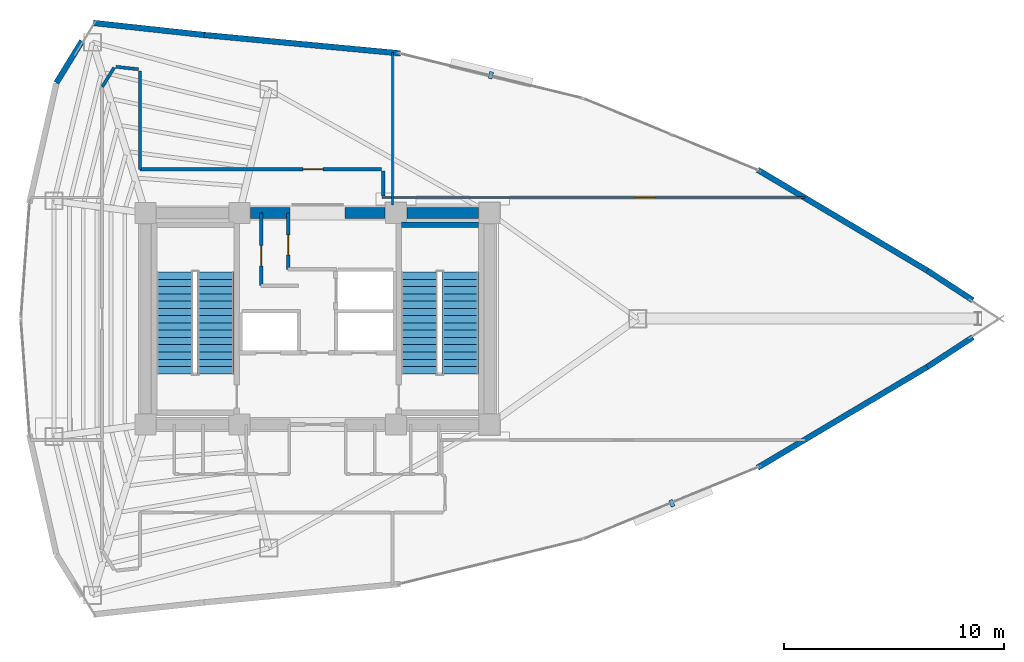
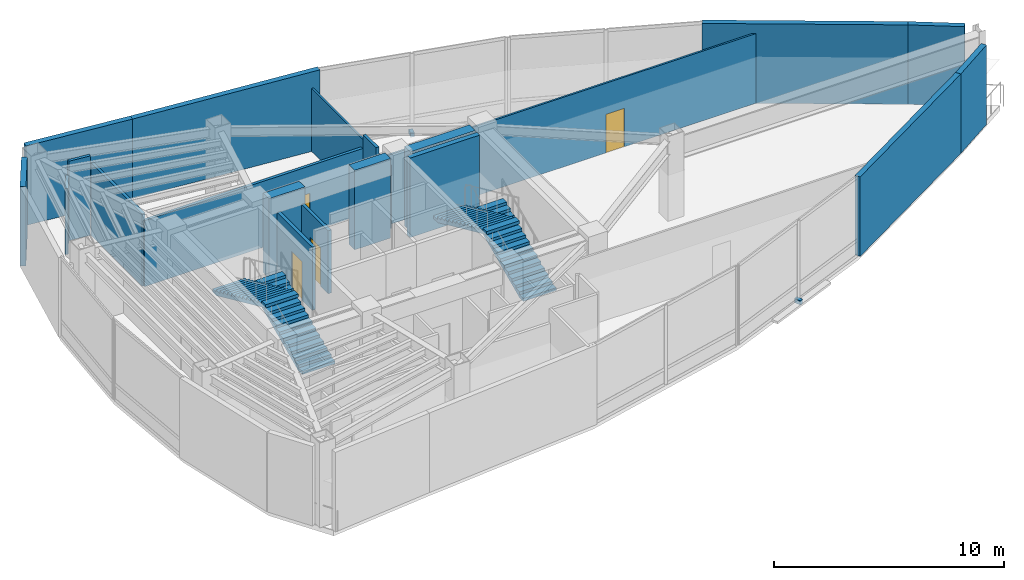
# One storey, part 15 of 17: 20 walls, 4 doors, 4 stair flights, 2 discrete accessories, 4 openings, 2 elements without a shape of their own.
"""IFC4 building model written with IfcOpenShell, lengths in metres."""

from ifc_helpers import new_model, si_unit, direction, frame, frame_2d, origin, origin_2d, place, context, subcontext, project, spatial, polyline, rectangle, outline, extrude, material, layer, layer_set, type_object, element, fill, aggregate, save


model = new_model("IFC4")

# Units and contexts
model_context = context("Model", 3, precision=1e-05, world=origin(), true_north=direction((0.0, 1.0)))
body_context = subcontext(model_context, "Body", "Model", "MODEL_VIEW")
ifc_project = project(units=[si_unit("LENGTHUNIT", "METRE"), si_unit("AREAUNIT", "SQUARE_METRE"), si_unit("VOLUMEUNIT", "CUBIC_METRE"), si_unit("PLANEANGLEUNIT", "RADIAN"), si_unit("MASSUNIT", "GRAM", prefix="KILO")], contexts=[model_context])

# Site, building, storey
site_placement = place(None, origin())
site = spatial("IfcSite", under=ifc_project, at=site_placement, CompositionType="ELEMENT")
building_placement = place(site_placement, origin())
building = spatial("IfcBuilding", under=site, at=building_placement, Name="Menara Vayukalpa", CompositionType="ELEMENT")
storey_placement = place(building_placement, frame((0.0, 0.0, 238.139892578125)))
storey = spatial("IfcBuildingStorey", under=building, at=storey_placement, Name="L60", CompositionType="ELEMENT", Elevation=238.139892578125)

# Walls
ifc_material_1 = material(Name="Concrete C60/75", Category="concrete")
ifc_layer_1 = layer(ifc_material_1, 0.5)
ifc_layer_set_1 = layer_set([ifc_layer_1], Name="Concrete C60/75")
wall_type_1 = type_object("IfcWallType", Name="WAL-CW500", PredefinedType="SHEAR", material=ifc_layer_set_1)
wall_1_placement = place(storey_placement, frame((22.544921875, 26.800048828125, 0.0), z_axis=(0.0, 0.0, 1.0), x_axis=(1.0, 0.0, 0.0)))
element("IfcWall", 1, at=wall_1_placement, inside=storey, type_object=wall_type_1, Name="L60 Buttressed Core Shear Wall CWN2", PredefinedType="SHEAR", context=body_context, shape_type="SweptSolid", body=[
    extrude(rectangle(XDim=1.80517578125, YDim=0.5, at=frame_2d((0.902587890625, 0.0))), origin(), (0.0, 0.0, 1.0), 4.22021484375),
])
wall_2_placement = place(storey_placement, frame((26.85009765625, 26.800048828125, 0.0), z_axis=(0.0, 0.0, 1.0), x_axis=(1.0, 0.0, 0.0)))
element("IfcWall", 2, at=wall_2_placement, inside=storey, type_object=wall_type_1, Name="L60 Buttressed Core Shear Wall CWN3", PredefinedType="SHEAR", context=body_context, shape_type="SweptSolid", body=[
    extrude(rectangle(XDim=1.804931640625, YDim=0.5, at=frame_2d((0.90234375, 0.0))), origin(), (0.0, 0.0, 1.0), 4.22021484375),
])
wall_3_placement = place(storey_placement, frame((29.64501953125, 26.800048828125, 0.0), z_axis=(0.0, 0.0, 1.0), x_axis=(1.0, 0.0, 0.0)))
element("IfcWall", 3, at=wall_3_placement, inside=storey, type_object=wall_type_1, Name="L60 Buttressed Core Shear Wall CWN4", PredefinedType="SHEAR", context=body_context, shape_type="SweptSolid", body=[
    extrude(rectangle(XDim=3.260009765625, YDim=0.5, at=frame_2d((1.6298828125, 0.0))), origin(), (0.0, 0.0, 1.0), 4.22021484375),
])
ifc_material_2 = material(Name="Insulated Precast Concrete C40/50", Category="concrete")
ifc_layer_2 = layer(ifc_material_2, 0.260009765625)
ifc_layer_set_2 = layer_set([ifc_layer_2], Name="Insulated Precast Concrete C40/50")
wall_type_2 = type_object("IfcWallType", Name="WAL-EXT260", PredefinedType="PARTITIONING", material=ifc_layer_set_2)
for number, where, z_axis, x_axis, name in (
    (4, (55.329833984375, 21.16259765625, 0.0), (0.0, 0.0, 1.0), (-0.837793250207, -0.545987609665, 0.0), "L60 Perimeter Terracotta Pier Wall 01"),
    (5, (53.258544921875, 24.187255859375, 0.0), (0.0, 0.0, 1.0), (0.837793250207, -0.545987609665, 0.0), "L60 Perimeter Terracotta Pier Wall 02"),
):
    element("IfcWall", number, at=place(storey_placement, frame(where, z_axis=z_axis, x_axis=x_axis)), inside=storey, type_object=wall_type_2, Name=name, PredefinedType="PARTITIONING", context=body_context, shape_type="SweptSolid", body=[
        extrude(rectangle(XDim=2.472412109375, YDim=0.260009765625, at=frame_2d((1.236328125, 0.0))), origin(), (0.0, 0.0, 1.0), 4.22021484375),
    ])
wall_4_placement = place(storey_placement, frame((45.565673828125, 28.759521484375, 0.0), z_axis=(0.0, 0.0, 1.0), x_axis=(0.859615449495, -0.510941561227, 0.0)))
element("IfcWall", 6, at=wall_4_placement, inside=storey, type_object=wall_type_2, Name="L60 Perimeter Terracotta Pier Wall 03", PredefinedType="PARTITIONING", context=body_context, shape_type="SweptSolid", body=[
    extrude(rectangle(XDim=8.961181640625, YDim=0.260009765625, at=frame_2d((4.48046875, 0.0))), origin(), (0.0, 0.0, 1.0), 4.22021484375),
])
wall_5_placement = place(storey_placement, frame((20.4384765625, 34.877685546875, 0.0), z_axis=(0.0, 0.0, 1.0), x_axis=(0.995616246459, -0.093532292754, 0.0)))
element("IfcWall", 7, at=wall_5_placement, inside=storey, type_object=wall_type_2, Name="L60 Perimeter Terracotta Pier Wall 06", PredefinedType="PARTITIONING", context=body_context, shape_type="SweptSolid", body=[
    extrude(rectangle(XDim=8.9609375, YDim=0.260009765625, at=frame_2d((4.48046875, 0.0))), origin(), (0.0, 0.0, 1.0), 4.22021484375),
])
wall_6_placement = place(storey_placement, frame((15.41748046875, 35.423095703125, 0.0), z_axis=(0.0, 0.0, 1.0), x_axis=(0.994158757437, -0.107927591518, 0.0)))
element("IfcWall", 8, at=wall_6_placement, inside=storey, type_object=wall_type_2, Name="L60 Perimeter Terracotta Pier Wall 07", PredefinedType="PARTITIONING", context=body_context, shape_type="SweptSolid", body=[
    extrude(rectangle(XDim=5.0625, YDim=0.260009765625, at=frame_2d((2.53125, 0.0))), origin(), (0.0, 0.0, 1.0), 4.22021484375),
])
wall_7_placement = place(storey_placement, frame((13.747314453125, 32.7021484375, 0.0), z_axis=(0.0, 0.0, 1.0), x_axis=(0.52314291314, 0.852244972077, 0.0)))
element("IfcWall", 9, at=wall_7_placement, inside=storey, type_object=wall_type_2, Name="L60 Perimeter Terracotta Pier Wall 08", PredefinedType="PARTITIONING", context=body_context, shape_type="SweptSolid", body=[
    extrude(rectangle(XDim=2.22705078125, YDim=0.260009765625, at=frame_2d((1.113525390625, 0.0))), origin(), (0.0, 0.0, 1.0), 4.22021484375),
])
wall_8_placement = place(storey_placement, frame((53.268798828125, 19.819091796875, 0.0), z_axis=(0.0, 0.0, 1.0), x_axis=(-0.859615449495, -0.510941561227, 0.0)))
element("IfcWall", 10, at=wall_8_placement, inside=storey, type_object=wall_type_2, Name="L60 Perimeter Terracotta Pier Wall 18", PredefinedType="PARTITIONING", context=body_context, shape_type="SweptSolid", body=[
    extrude(rectangle(XDim=8.961181640625, YDim=0.260009765625, at=frame_2d((4.48046875, 0.0))), origin(), (0.0, 0.0, 1.0), 4.22021484375),
])

# Wall, opening, door
ifc_material_3 = material(Name="Lightweight Concrete Blockwork C16/20", Category="masonry")
ifc_layer_3 = layer(ifc_material_3, 0.159912109375)
ifc_layer_set_3 = layer_set([ifc_layer_3], Name="Lightweight Concrete Blockwork C16/20")
wall_type_3 = type_object("IfcWallType", Name="WAL-FR150", PredefinedType="PARTITIONING", material=ifc_layer_set_3)
wall_9_placement = place(storey_placement, frame((23.0400390625, 23.5, 0.0), z_axis=(0.0, 0.0, 1.0), x_axis=(0.0, 1.0, 0.0)))
wall_9 = element("IfcWall", 11, at=wall_9_placement, inside=storey, type_object=wall_type_3, Name="L60 Interior Partition IW-L60-LV7WB", PredefinedType="PARTITIONING", context=body_context, shape_type="SweptSolid", body=[
    extrude(rectangle(XDim=3.300048828125, YDim=0.159912109375, at=frame_2d((1.64990234375, 0.0))), origin(), (0.0, 0.0, 1.0), 3.35009765625),
])
opening_1_placement = place(wall_9_placement, frame((0.89990234375, 0.0, 0.0)))
opening_1 = element("IfcOpeningElement", 12, at=opening_1_placement, cuts=wall_9, Name="Opening ID6", PredefinedType="OPENING", context=body_context, shape_type="SweptSolid", body=[
    extrude(rectangle(XDim=0.919921875, YDim=2.050048828125, at=frame_2d((0.4599609375, 1.02490234375))), frame((0.0, 0.08984375, 0.0), z_axis=(0.0, -1.0, 0.0), x_axis=(1.0, 0.0, 0.0)), (0.0, 0.0, 1.0), 0.179931640625),
])
ifc_material_4 = material(Name="Acoustic Hardwood Veneer Timber Door", Category="wood")
door_type = type_object("IfcDoorType", Name="DR-INT92", OperationType="NOTDEFINED", PredefinedType="DOOR", material=ifc_material_4)
door_1_placement = place(opening_1_placement, origin())
door_1 = element("IfcDoor", 13, at=door_1_placement, inside=storey, type_object=door_type, Name="L60 Interior Door DR-L60-LV7W", OperationType="SINGLE_SWING_LEFT", OverallHeight=2.050048828125, OverallWidth=0.919921875, PredefinedType="DOOR", context=body_context, shape_type="SweptSolid", body=[
    extrude(rectangle(XDim=0.919921875, YDim=2.050048828125, at=frame_2d((0.4599609375, 1.02490234375))), frame((0.0, 0.02490234375, 0.0), z_axis=(0.0, -1.0, 0.0), x_axis=(1.0, 0.0, 0.0)), (0.0, 0.0, 1.0), 0.050048828125),
])
fill(opening_1, door_1)

wall_10_placement = place(storey_placement, frame((24.260009765625, 24.239990234375, 0.0), z_axis=(0.0, 0.0, 1.0), x_axis=(0.0, 1.0, 0.0)))
wall_10 = element("IfcWall", 14, at=wall_10_placement, inside=storey, type_object=wall_type_3, Name="L60 Interior Partition IW-L60-LV7EB", PredefinedType="PARTITIONING", context=body_context, shape_type="SweptSolid", body=[
    extrude(rectangle(XDim=2.56005859375, YDim=0.159912109375, at=frame_2d((1.280029296875, 0.0))), origin(), (0.0, 0.0, 1.0), 3.35009765625),
])
opening_2_placement = place(wall_10_placement, frame((0.64990234375, 0.0, 0.0)))
opening_2 = element("IfcOpeningElement", 15, at=opening_2_placement, cuts=wall_10, Name="Opening ID6", PredefinedType="OPENING", context=body_context, shape_type="SweptSolid", body=[
    extrude(rectangle(XDim=0.919921875, YDim=2.050048828125, at=frame_2d((0.4599609375, 1.02490234375))), frame((0.0, 0.08984375, 0.0), z_axis=(0.0, -1.0, 0.0), x_axis=(1.0, 0.0, 0.0)), (0.0, 0.0, 1.0), 0.179931640625),
])
door_2_placement = place(opening_2_placement, origin())
door_2 = element("IfcDoor", 16, at=door_2_placement, inside=storey, type_object=door_type, Name="L60 Interior Door DR-L60-LV7E", OperationType="SINGLE_SWING_RIGHT", OverallHeight=2.050048828125, OverallWidth=0.919921875, PredefinedType="DOOR", context=body_context, shape_type="SweptSolid", body=[
    extrude(rectangle(XDim=0.919921875, YDim=2.050048828125, at=frame_2d((0.4599609375, 1.02490234375))), frame((0.0, 0.02490234375, 0.0), z_axis=(0.0, -1.0, 0.0), x_axis=(1.0, 0.0, 0.0)), (0.0, 0.0, 1.0), 0.050048828125),
])
fill(opening_2, door_2)

# Wall
ifc_material_5 = material(Name="Glazed Demountable Office Partition", Category="glass")
ifc_layer_4 = layer(ifc_material_5, 0.094970703125)
ifc_layer_set_4 = layer_set([ifc_layer_4], Name="Glazed Demountable Office Partition")
wall_type_4 = type_object("IfcWallType", Name="WAL-PT100", PredefinedType="PARTITIONING", material=ifc_layer_set_4)
wall_11_placement = place(storey_placement, frame((29.0, 27.169921875, 0.0), z_axis=(0.0, 0.0, 1.0), x_axis=(0.0, 1.0, 0.0)))
element("IfcWall", 17, at=wall_11_placement, inside=storey, type_object=wall_type_4, Name="L60 Interior Partition IW-L60-RDIV02", PredefinedType="PARTITIONING", context=body_context, shape_type="SweptSolid", body=[
    extrude(rectangle(XDim=6.91357421875, YDim=0.094970703125, at=frame_2d((3.456787109375, 0.0))), origin(), (0.0, 0.0, 1.0), 3.35009765625),
])

# Wall, opening, door
wall_12_placement = place(storey_placement, frame((28.530029296875, 27.5, 0.0), z_axis=(0.0, 0.0, 1.0), x_axis=(1.0, 0.0, 0.0)))
wall_12 = element("IfcWall", 18, at=wall_12_placement, inside=storey, type_object=wall_type_4, Name="L60 Interior Partition IW-L60-RDIV06", PredefinedType="PARTITIONING", context=body_context, shape_type="SweptSolid", body=[
    extrude(rectangle(XDim=19.174072265625, YDim=0.094970703125, at=frame_2d((9.5869140625, 0.0))), origin(), (0.0, 0.0, 1.0), 3.7001953125),
])
opening_3_placement = place(wall_12_placement, frame((11.46337890625, 0.0, 0.0)))
opening_3 = element("IfcOpeningElement", 19, at=opening_3_placement, cuts=wall_12, Name="Opening ID6", PredefinedType="OPENING", context=body_context, shape_type="SweptSolid", body=[
    extrude(rectangle(XDim=0.919921875, YDim=2.050048828125, at=frame_2d((0.4599609375, 1.02490234375))), frame((0.0, 0.057373046875, 0.0), z_axis=(0.0, -1.0, 0.0), x_axis=(1.0, 0.0, 0.0)), (0.0, 0.0, 1.0), 0.114990234375),
])
door_3_placement = place(opening_3_placement, origin())
door_3 = element("IfcDoor", 20, at=door_3_placement, inside=storey, type_object=door_type, Name="L60 Interior Door DR-L60-STE05", OperationType="SINGLE_SWING_RIGHT", OverallHeight=2.050048828125, OverallWidth=0.919921875, PredefinedType="DOOR", context=body_context, shape_type="SweptSolid", body=[
    extrude(rectangle(XDim=0.919921875, YDim=2.050048828125, at=frame_2d((0.4599609375, 1.02490234375))), frame((0.0, 0.02490234375, 0.0), z_axis=(0.0, -1.0, 0.0), x_axis=(1.0, 0.0, 0.0)), (0.0, 0.0, 1.0), 0.050048828125),
])
fill(opening_3, door_3)

# Wall
ifc_material_6 = material(Name="Gypsum Drywall Acoustic Stud Assembly", Category="masonry")
ifc_layer_5 = layer(ifc_material_6, 0.14501953125)
ifc_layer_set_5 = layer_set([ifc_layer_5], Name="Gypsum Drywall Acoustic Stud Assembly")
wall_type_5 = type_object("IfcWallType", Name="WAL-PT150", PredefinedType="PARTITIONING", material=ifc_layer_set_5)
wall_13_placement = place(storey_placement, frame((28.580078125, 27.570068359375, 0.0), z_axis=(0.0, 0.0, 1.0), x_axis=(0.0, 1.0, 0.0)))
element("IfcWall", 21, at=wall_13_placement, inside=storey, type_object=wall_type_5, Name="L60 Interior Partition IW-L60-CRM06-1", PredefinedType="PARTITIONING", context=body_context, shape_type="SweptSolid", body=[
    extrude(rectangle(XDim=1.1298828125, YDim=0.14501953125, at=frame_2d((0.56494140625, 0.0))), origin(), (0.0, 0.0, 1.0), 4.22021484375),
])

# Wall, opening, door
wall_14_placement = place(storey_placement, frame((28.5, 28.780029296875, 0.0), z_axis=(0.0, 0.0, 1.0), x_axis=(-1.0, 0.0, 0.0)))
wall_14 = element("IfcWall", 22, at=wall_14_placement, inside=storey, type_object=wall_type_5, Name="L60 Interior Partition IW-L60-CRM06-2", PredefinedType="PARTITIONING", context=body_context, shape_type="SweptSolid", body=[
    extrude(rectangle(XDim=10.9599609375, YDim=0.14501953125, at=frame_2d((5.47998046875, 0.0))), origin(), (0.0, 0.0, 1.0), 3.5),
])
opening_4_placement = place(wall_14_placement, frame((2.64990234375, 0.0, 0.0)))
opening_4 = element("IfcOpeningElement", 23, at=opening_4_placement, cuts=wall_14, Name="Opening ID6", PredefinedType="OPENING", context=body_context, shape_type="SweptSolid", body=[
    extrude(rectangle(XDim=0.919921875, YDim=2.050048828125, at=frame_2d((0.4599609375, 1.02490234375))), frame((0.0, 0.08251953125, 0.0), z_axis=(0.0, -1.0, 0.0), x_axis=(1.0, 0.0, 0.0)), (0.0, 0.0, 1.0), 0.1650390625),
])
door_4_placement = place(opening_4_placement, origin())
door_4 = element("IfcDoor", 24, at=door_4_placement, inside=storey, type_object=door_type, Name="L60 Interior Door DR-L60-RM06", OperationType="SINGLE_SWING_LEFT", OverallHeight=2.050048828125, OverallWidth=0.919921875, PredefinedType="DOOR", context=body_context, shape_type="SweptSolid", body=[
    extrude(rectangle(XDim=0.919921875, YDim=2.050048828125, at=frame_2d((0.4599609375, 1.02490234375))), frame((0.0, 0.02490234375, 0.0), z_axis=(0.0, -1.0, 0.0), x_axis=(1.0, 0.0, 0.0)), (0.0, 0.0, 1.0), 0.050048828125),
])
fill(opening_4, door_4)

# Walls
wall_15_placement = place(storey_placement, frame((17.5400390625, 28.780029296875, 0.0), z_axis=(0.0, 0.0, 1.0), x_axis=(0.0, 1.0, 0.0)))
element("IfcWall", 25, at=wall_15_placement, inside=storey, type_object=wall_type_5, Name="L60 Interior Partition IW-L60-CRM06-3", PredefinedType="PARTITIONING", context=body_context, shape_type="SweptSolid", body=[
    extrude(rectangle(XDim=4.4599609375, YDim=0.14501953125, at=frame_2d((2.22998046875, 0.0))), origin(), (0.0, 0.0, 1.0), 3.85009765625),
])
wall_16_placement = place(storey_placement, frame((17.468505859375, 33.3193359375, 0.0), z_axis=(0.0, 0.0, 1.0), x_axis=(-0.994140595739, 0.108094754283, 0.0)))
element("IfcWall", 26, at=wall_16_placement, inside=storey, type_object=wall_type_5, Name="L60 Interior Partition IW-L60-CRM06-4", PredefinedType="PARTITIONING", context=body_context, shape_type="SweptSolid", body=[
    extrude(rectangle(XDim=1.0322265625, YDim=0.14501953125, at=frame_2d((0.51611328125, 0.0))), origin(), (0.0, 0.0, 1.0), 4.22021484375),
])
wall_17_placement = place(storey_placement, frame((16.36572265625, 33.393310546875, 0.0), z_axis=(0.0, 0.0, 1.0), x_axis=(-0.523122844464, -0.852257290729, 0.0)))
element("IfcWall", 27, at=wall_17_placement, inside=storey, type_object=wall_type_5, Name="L60 Interior Partition IW-L60-CRM06-5", PredefinedType="PARTITIONING", context=body_context, shape_type="SweptSolid", body=[
    extrude(rectangle(XDim=1.020751953125, YDim=0.14501953125, at=frame_2d((0.51025390625, 0.0))), origin(), (0.0, 0.0, 1.0), 3.5),
])
ifc_material_7 = material(Name="Concrete C50/60", Category="concrete")
ifc_layer_6 = layer(ifc_material_7, 0.25)
ifc_layer_set_6 = layer_set([ifc_layer_6], Name="Concrete C50/60")
wall_type_6 = type_object("IfcWallType", Name="WAL-SW250", PredefinedType="SHEAR", material=ifc_layer_set_6)
wall_18_placement = place(storey_placement, frame((29.39990234375, 26.27490234375, 0.0), z_axis=(0.0, 0.0, 1.0), x_axis=(1.0, 0.0, 0.0)))
element("IfcWall", 28, at=wall_18_placement, inside=storey, type_object=wall_type_6, Name="L60 ST2 Structural Stair Shaft Wall N", PredefinedType="SHEAR", context=body_context, shape_type="SweptSolid", body=[
    extrude(rectangle(XDim=3.49609375, YDim=0.25, at=frame_2d((1.748046875, 0.0))), origin(), (0.0, 0.0, 1.0), 4.22021484375),
])

# Stair, stair flights
ifc_material_8 = material(Name="Precast Concrete C40/50", Category="concrete")
stair_type = type_object("IfcStairType", Name="STR-T06", PredefinedType="DOUBLE_RETURN_STAIR", material=ifc_material_8)
stair_1_placement = place(storey_placement, origin())
stair_1 = element("IfcStair", 29, at=stair_1_placement, inside=storey, type_object=stair_type, Name="L60 Core Exit Stair ST-1", PredefinedType="DOUBLE_RETURN_STAIR")
ifc_material_9 = material(Name="Precast Concrete C40/50", Category="concrete")
stair_flight_type = type_object("IfcStairFlightType", Name="STF-T06", PredefinedType="STRAIGHT", material=ifc_material_9)
stair_flight_1_placement = place(storey_placement, frame((20.97509765625, 19.5, 0.0), z_axis=(0.0, 0.0, 1.0), x_axis=(0.0, 1.0, 0.0)))
stair_flight_1 = element("IfcStairFlight", 30, at=stair_flight_1_placement, type_object=stair_flight_type, Name="ST-1 flight 1", NumberOfRisers=15, NumberOfTreads=14, PredefinedType="STRAIGHT", RiserHeight=0.15, TreadLength=0.33, context=body_context, shape_type="SweptSolid", body=[
    extrude(outline(polyline([(0.0, 0.0), (0.0, 0.14990234375), (0.330078125, 0.14990234375), (0.330078125, 0.300048828125), (0.659912109375, 0.300048828125), (0.659912109375, 0.449951171875), (0.989990234375, 0.449951171875), (0.989990234375, 0.60009765625), (1.320068359375, 0.60009765625), (1.320068359375, 0.75), (1.64990234375, 0.75), (1.64990234375, 0.89990234375), (1.97998046875, 0.89990234375), (1.97998046875, 1.050048828125), (2.31005859375, 1.050048828125), (2.31005859375, 1.199951171875), (2.639892578125, 1.199951171875), (2.639892578125, 1.35009765625), (2.969970703125, 1.35009765625), (2.969970703125, 1.5), (3.300048828125, 1.5), (3.300048828125, 1.64990234375), (3.6298828125, 1.64990234375), (3.6298828125, 1.800048828125), (3.9599609375, 1.800048828125), (3.9599609375, 1.949951171875), (4.2900390625, 1.949951171875), (4.2900390625, 2.10009765625), (4.6201171875, 2.10009765625), (4.6201171875, 2.25), (4.6201171875, 1.935302734375), (0.3623046875, 0.0), (0.0, 0.0)])), frame((0.0, 0.824951171875, 0.0), z_axis=(0.0, -1.0, 0.0), x_axis=(1.0, 0.0, 0.0)), (0.0, 0.0, 1.0), 1.64990234375),
])
stair_flight_2_placement = place(storey_placement, frame((19.125, 24.1201171875, 2.25), z_axis=(0.0, 0.0, 1.0), x_axis=(0.0, -1.0, 0.0)))
stair_flight_2 = element("IfcStairFlight", 31, at=stair_flight_2_placement, type_object=stair_flight_type, Name="ST-1 flight 2", NumberOfRisers=15, NumberOfTreads=14, PredefinedType="STRAIGHT", RiserHeight=0.15, TreadLength=0.33, context=body_context, shape_type="SweptSolid", body=[
    extrude(outline(polyline([(0.0, 0.0), (0.0, 0.14990234375), (0.330078125, 0.14990234375), (0.330078125, 0.300048828125), (0.659912109375, 0.300048828125), (0.659912109375, 0.449951171875), (0.989990234375, 0.449951171875), (0.989990234375, 0.60009765625), (1.320068359375, 0.60009765625), (1.320068359375, 0.75), (1.64990234375, 0.75), (1.64990234375, 0.89990234375), (1.97998046875, 0.89990234375), (1.97998046875, 1.050048828125), (2.31005859375, 1.050048828125), (2.31005859375, 1.199951171875), (2.639892578125, 1.199951171875), (2.639892578125, 1.35009765625), (2.969970703125, 1.35009765625), (2.969970703125, 1.5), (3.300048828125, 1.5), (3.300048828125, 1.64990234375), (3.6298828125, 1.64990234375), (3.6298828125, 1.800048828125), (3.9599609375, 1.800048828125), (3.9599609375, 1.949951171875), (4.2900390625, 1.949951171875), (4.2900390625, 2.10009765625), (4.6201171875, 2.10009765625), (4.6201171875, 2.25), (4.6201171875, 1.935302734375), (0.3623046875, 0.0), (0.0, 0.0)])), frame((0.0, 0.824951171875, 0.0), z_axis=(0.0, -1.0, 0.0), x_axis=(1.0, 0.0, 0.0)), (0.0, 0.0, 1.0), 1.64990234375),
])
aggregate(stair_1, [stair_flight_1, stair_flight_2])

stair_2_placement = place(storey_placement, origin())
stair_2 = element("IfcStair", 32, at=stair_2_placement, inside=storey, type_object=stair_type, Name="L60 Core Exit Stair ST-2", PredefinedType="DOUBLE_RETURN_STAIR")
stair_flight_3_placement = place(storey_placement, frame((32.074951171875, 19.5, 0.0), z_axis=(0.0, 0.0, 1.0), x_axis=(0.0, 1.0, 0.0)))
stair_flight_3 = element("IfcStairFlight", 33, at=stair_flight_3_placement, type_object=stair_flight_type, Name="ST-2 flight 1", NumberOfRisers=15, NumberOfTreads=14, PredefinedType="STRAIGHT", RiserHeight=0.15, TreadLength=0.33, context=body_context, shape_type="SweptSolid", body=[
    extrude(outline(polyline([(0.0, 0.0), (0.0, 0.14990234375), (0.330078125, 0.14990234375), (0.330078125, 0.300048828125), (0.659912109375, 0.300048828125), (0.659912109375, 0.449951171875), (0.989990234375, 0.449951171875), (0.989990234375, 0.60009765625), (1.320068359375, 0.60009765625), (1.320068359375, 0.75), (1.64990234375, 0.75), (1.64990234375, 0.89990234375), (1.97998046875, 0.89990234375), (1.97998046875, 1.050048828125), (2.31005859375, 1.050048828125), (2.31005859375, 1.199951171875), (2.639892578125, 1.199951171875), (2.639892578125, 1.35009765625), (2.969970703125, 1.35009765625), (2.969970703125, 1.5), (3.300048828125, 1.5), (3.300048828125, 1.64990234375), (3.6298828125, 1.64990234375), (3.6298828125, 1.800048828125), (3.9599609375, 1.800048828125), (3.9599609375, 1.949951171875), (4.2900390625, 1.949951171875), (4.2900390625, 2.10009765625), (4.6201171875, 2.10009765625), (4.6201171875, 2.25), (4.6201171875, 1.935302734375), (0.3623046875, 0.0), (0.0, 0.0)])), frame((0.0, 0.824951171875, 0.0), z_axis=(0.0, -1.0, 0.0), x_axis=(1.0, 0.0, 0.0)), (0.0, 0.0, 1.0), 1.64990234375),
])
stair_flight_4_placement = place(storey_placement, frame((30.22509765625, 24.1201171875, 2.25), z_axis=(0.0, 0.0, 1.0), x_axis=(0.0, -1.0, 0.0)))
stair_flight_4 = element("IfcStairFlight", 34, at=stair_flight_4_placement, type_object=stair_flight_type, Name="ST-2 flight 2", NumberOfRisers=15, NumberOfTreads=14, PredefinedType="STRAIGHT", RiserHeight=0.15, TreadLength=0.33, context=body_context, shape_type="SweptSolid", body=[
    extrude(outline(polyline([(0.0, 0.0), (0.0, 0.14990234375), (0.330078125, 0.14990234375), (0.330078125, 0.300048828125), (0.659912109375, 0.300048828125), (0.659912109375, 0.449951171875), (0.989990234375, 0.449951171875), (0.989990234375, 0.60009765625), (1.320068359375, 0.60009765625), (1.320068359375, 0.75), (1.64990234375, 0.75), (1.64990234375, 0.89990234375), (1.97998046875, 0.89990234375), (1.97998046875, 1.050048828125), (2.31005859375, 1.050048828125), (2.31005859375, 1.199951171875), (2.639892578125, 1.199951171875), (2.639892578125, 1.35009765625), (2.969970703125, 1.35009765625), (2.969970703125, 1.5), (3.300048828125, 1.5), (3.300048828125, 1.64990234375), (3.6298828125, 1.64990234375), (3.6298828125, 1.800048828125), (3.9599609375, 1.800048828125), (3.9599609375, 1.949951171875), (4.2900390625, 1.949951171875), (4.2900390625, 2.10009765625), (4.6201171875, 2.10009765625), (4.6201171875, 2.25), (4.6201171875, 1.935302734375), (0.3623046875, 0.0), (0.0, 0.0)])), frame((0.0, 0.824951171875, 0.0), z_axis=(0.0, -1.0, 0.0), x_axis=(1.0, 0.0, 0.0)), (0.0, 0.0, 1.0), 1.64990234375),
])
aggregate(stair_2, [stair_flight_3, stair_flight_4])

# Discrete accessories
ifc_material_10 = material(Name="Stainless Steel 316 Sunshade Bracket", Category="steel")
discrete_accessory_type = type_object("IfcDiscreteAccessoryType", Name="ACC-BRK1", PredefinedType="BRACKET", material=ifc_material_10)
for number, where, z_axis, x_axis, name in (
    (35, (33.46044921875, 33.050048828125, -0.15966796875), (0.0, 0.0, 1.0), (-0.971313023754, 0.237804562373, 0.0), "L60 Terracotta Sunshade Bracket 05"),
    (36, (41.669677734375, 13.62451171875, -0.15966796875), (0.0, 0.0, 1.0), (0.924971116436, 0.380037411, 0.0), "L60 Terracotta Sunshade Bracket 17"),
):
    element("IfcDiscreteAccessory", number, at=place(storey_placement, frame(where, z_axis=z_axis, x_axis=x_axis)), inside=storey, type_object=discrete_accessory_type, Name=name, PredefinedType="BRACKET", context=body_context, shape_type="SweptSolid", body=[
        extrude(rectangle(XDim=0.179931640625, YDim=0.320068359375, at=origin_2d()), origin(), (0.0, 0.0, 1.0), 0.219970703125),
    ])

save(model, "model.ifc")
